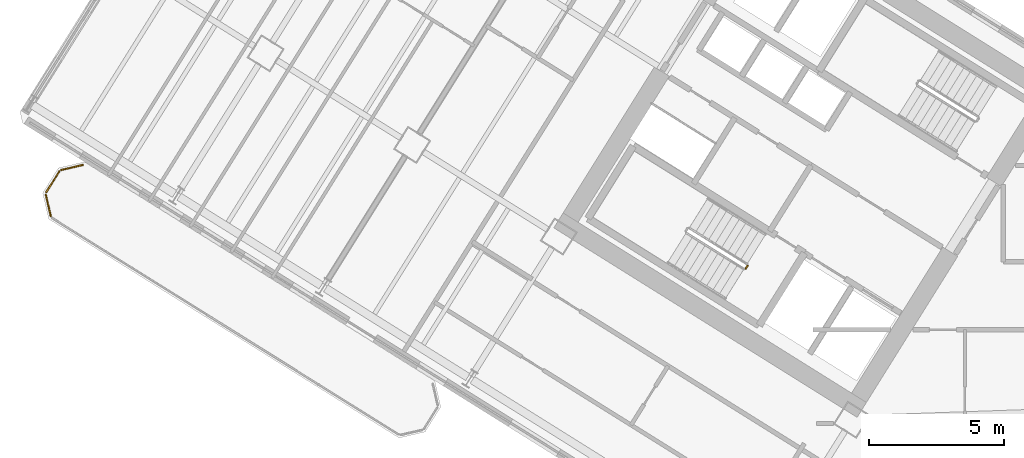
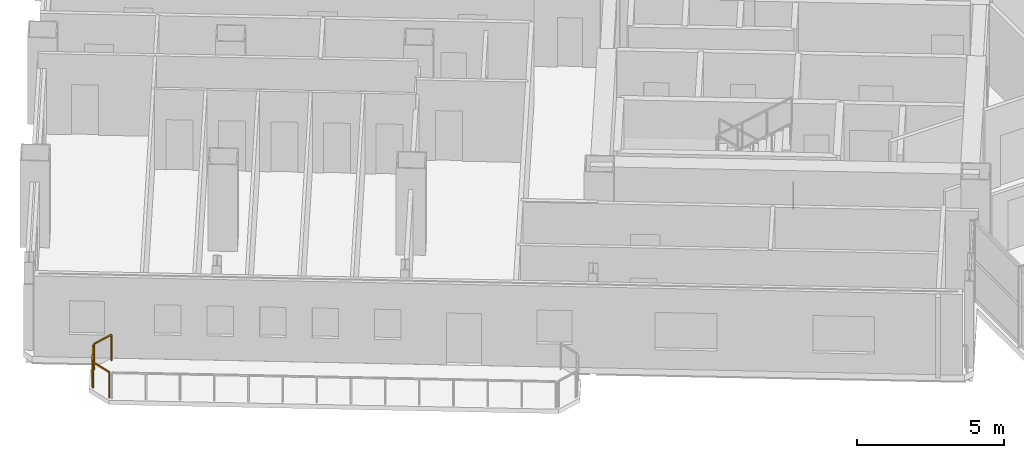
# One storey, part 22 of 28: 4 railings.
"""IFC4 building model written with IfcOpenShell, lengths in metres."""

from ifc_helpers import new_model, si_unit, direction, frame, origin, origin_2d, place, context, subcontext, project, spatial, rectangle, extrude, source, transform, mapped, material, type_object, element, save


model = new_model("IFC4")

# Units and contexts
model_context = context("Model", 3, precision=1e-05, world=origin(), true_north=direction((0.0, 1.0)))
body_context = subcontext(model_context, "Body", "Model", "MODEL_VIEW")
ifc_project = project(units=[si_unit("LENGTHUNIT", "METRE"), si_unit("AREAUNIT", "SQUARE_METRE"), si_unit("VOLUMEUNIT", "CUBIC_METRE"), si_unit("PLANEANGLEUNIT", "RADIAN"), si_unit("MASSUNIT", "GRAM", prefix="KILO")], contexts=[model_context])

# Site, building, storey
site_placement = place(None, origin())
site = spatial("IfcSite", under=ifc_project, at=site_placement, CompositionType="ELEMENT")
building_placement = place(site_placement, origin())
building = spatial("IfcBuilding", under=site, at=building_placement, Name="Tlacorven Tower", CompositionType="ELEMENT")
storey_placement = place(building_placement, frame((0.0, 0.0, 27.60009765625)))
storey = spatial("IfcBuildingStorey", under=building, at=storey_placement, Name="L06", CompositionType="ELEMENT", Elevation=27.60009765625)

# Railings
ifc_material = material(Name="Aluminium and painted steel balustrade", Category="steel")
railing_type_1 = type_object("IfcRailingType", Name="RL-BAL-1100", PredefinedType="BALUSTRADE", material=ifc_material)
shared_shape_1 = source(origin(), body_context, "Body", "SweptSolid", [
    extrude(rectangle(XDim=0.048095703125, YDim=0.048095703125, at=origin_2d()), frame((0.0, 0.0, 1.076171875), z_axis=(-0.225058334816, 0.974345290916, 0.0), x_axis=(-0.974345290916, -0.225058334816, 0.0)), (0.0, 0.0, 1.0), 0.80712890625),
    extrude(rectangle(XDim=0.0419921875, YDim=0.0419921875, at=origin_2d()), origin(), (0.0, 0.0, 1.0), 1.052001953125),
    extrude(rectangle(XDim=0.0419921875, YDim=0.0419921875, at=origin_2d()), frame((-0.181640625, 0.786376953125, 0.0)), (0.0, 0.0, 1.0), 1.052001953125),
])
railing_1_placement = place(storey_placement, frame((3.380859375, 19.62841796875, 0.0)))
element("IfcRailing", 1, at=railing_1_placement, inside=storey, type_object=railing_type_1, Name="BAL-L06-W-OUT Guard Railing 5", PredefinedType="BALUSTRADE", context=body_context, shape_type="MappedRepresentation", body=[
    mapped(shared_shape_1, transform((0.0, 0.0, 0.0), scale=1.0)),
])
shared_shape_2 = source(origin(), body_context, "Body", "SweptSolid", [
    extrude(rectangle(XDim=0.048095703125, YDim=0.048095703125, at=origin_2d()), frame((0.0, 0.0, 1.076171875), z_axis=(0.52987865805, 0.848073468364, 0.0), x_axis=(-0.848073468364, 0.52987865805, 0.0)), (0.0, 0.0, 1.0), 0.912353515625),
    extrude(rectangle(XDim=0.0419921875, YDim=0.0419921875, at=origin_2d()), origin(), (0.0, 0.0, 1.0), 1.052001953125),
    extrude(rectangle(XDim=0.0419921875, YDim=0.0419921875, at=origin_2d()), frame((0.4833984375, 0.773681640625, 0.0)), (0.0, 0.0, 1.0), 1.052001953125),
])
railing_2_placement = place(storey_placement, frame((3.214599609375, 20.505859375, 0.0)))
element("IfcRailing", 2, at=railing_2_placement, inside=storey, type_object=railing_type_1, Name="BAL-L06-W-OUT Guard Railing 6", PredefinedType="BALUSTRADE", context=body_context, shape_type="MappedRepresentation", body=[
    mapped(shared_shape_2, transform((0.0, 0.0, 0.0), scale=1.0)),
])
shared_shape_3 = source(origin(), body_context, "Body", "SweptSolid", [
    extrude(rectangle(XDim=0.048095703125, YDim=0.048095703125, at=origin_2d()), frame((0.0, 0.0, 1.076171875), z_axis=(0.974345290916, 0.225058334816, 0.0), x_axis=(-0.225058334816, 0.974345290916, 0.0)), (0.0, 0.0, 1.0), 0.80712890625),
    extrude(rectangle(XDim=0.0419921875, YDim=0.0419921875, at=origin_2d()), origin(), (0.0, 0.0, 1.0), 1.052001953125),
    extrude(rectangle(XDim=0.0419921875, YDim=0.0419921875, at=origin_2d()), frame((0.786376953125, 0.181640625, 0.0)), (0.0, 0.0, 1.0), 1.052001953125),
])
railing_3_placement = place(storey_placement, frame((3.773193359375, 21.3330078125, 0.0)))
element("IfcRailing", 3, at=railing_3_placement, inside=storey, type_object=railing_type_1, Name="BAL-L06-W-OUT Guard Railing 7", PredefinedType="BALUSTRADE", context=body_context, shape_type="MappedRepresentation", body=[
    mapped(shared_shape_3, transform((0.0, 0.0, 0.0), scale=1.0)),
])
railing_type_2 = type_object("IfcRailingType", Name="RL-GRD-1100", PredefinedType="GUARDRAIL", material=ifc_material)
shared_shape_4 = source(origin(), body_context, "Body", "SweptSolid", [
    extrude(rectangle(XDim=0.048095703125, YDim=0.048095703125, at=origin_2d()), frame((0.0, 0.0, 1.076171875), z_axis=(-0.529084052582, -0.848569422795, 0.0), x_axis=(0.848569422795, -0.529084052582, 0.0)), (0.0, 0.0, 1.0), 0.119873046875),
    extrude(rectangle(XDim=0.0419921875, YDim=0.0419921875, at=origin_2d()), origin(), (0.0, 0.0, 1.0), 1.052001953125),
    extrude(rectangle(XDim=0.0419921875, YDim=0.0419921875, at=origin_2d()), frame((-0.0634765625, -0.101806640625, 0.0)), (0.0, 0.0, 1.0), 1.052001953125),
])
railing_4_placement = place(storey_placement, frame((29.176513671875, 17.782958984375, 0.0)))
element("IfcRailing", 4, at=railing_4_placement, inside=storey, type_object=railing_type_2, Name="L06 ST-W1 stair guard 4", PredefinedType="GUARDRAIL", context=body_context, shape_type="MappedRepresentation", body=[
    mapped(shared_shape_4, transform((0.0, 0.0, 0.0), scale=1.0)),
])

save(model, "model.ifc")
